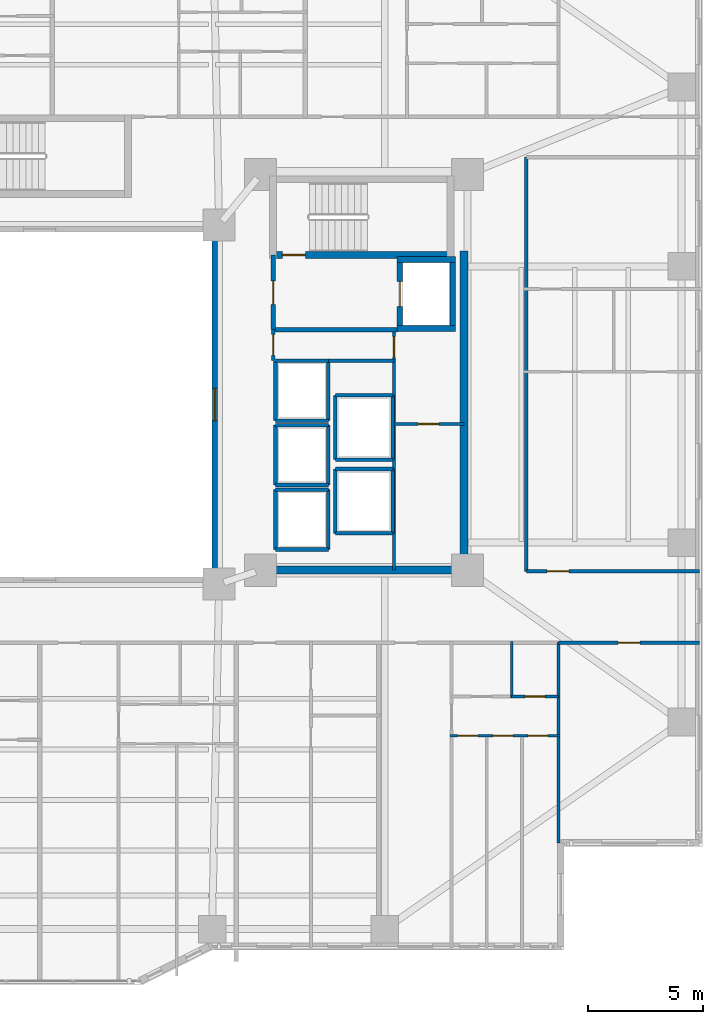
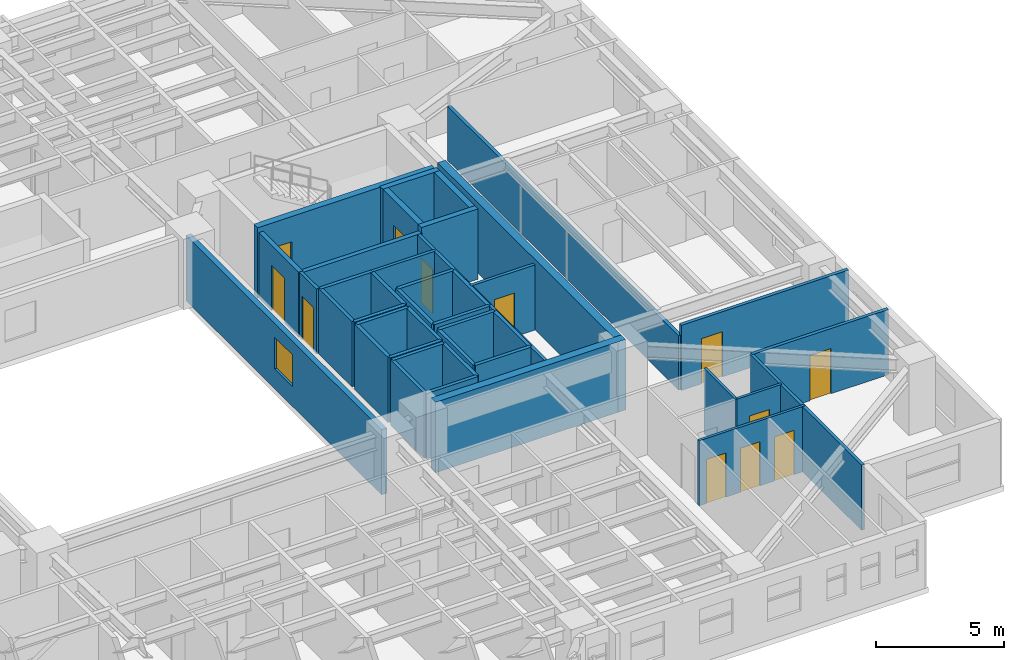
# One storey, part 13 of 21: 41 walls, 12 doors, 1 window, 13 openings.
"""IFC4 building model written with IfcOpenShell, lengths in metres."""

from ifc_helpers import new_model, si_unit, direction, frame, frame_2d, origin, place, context, subcontext, project, spatial, rectangle, extrude, material, layer, layer_set, type_object, element, fill, save


model = new_model("IFC4")

# Units and contexts
model_context = context("Model", 3, precision=1e-05, world=origin(), true_north=direction((0.0, 1.0)))
body_context = subcontext(model_context, "Body", "Model", "MODEL_VIEW")
ifc_project = project(units=[si_unit("LENGTHUNIT", "METRE"), si_unit("AREAUNIT", "SQUARE_METRE"), si_unit("VOLUMEUNIT", "CUBIC_METRE"), si_unit("PLANEANGLEUNIT", "RADIAN"), si_unit("MASSUNIT", "GRAM", prefix="KILO")], contexts=[model_context])

# Site, building, storey
site_placement = place(None, origin())
site = spatial("IfcSite", under=ifc_project, at=site_placement, CompositionType="ELEMENT")
building_placement = place(site_placement, origin())
building = spatial("IfcBuilding", under=site, at=building_placement, Name="Tarnavaz Court Tower", CompositionType="ELEMENT")
storey_placement = place(building_placement, frame((0.0, 0.0, 24.0)))
storey = spatial("IfcBuildingStorey", under=building, at=storey_placement, Name="L05", CompositionType="ELEMENT", Elevation=24.0)

# Wall, opening, door
ifc_material_1 = material(Name="Concrete C60/75", Category="concrete")
ifc_layer_1 = layer(ifc_material_1, 0.25)
ifc_layer_set_1 = layer_set([ifc_layer_1], Name="Concrete C60/75")
wall_type_1 = type_object("IfcWallType", Name="WL-CORE-250-C60", PredefinedType="SHEAR", material=ifc_layer_set_1)
wall_1_placement = place(storey_placement, frame((15.64990234375, 3.175048828125, 0.0), z_axis=(0.0, 0.0, 1.0), x_axis=(0.0, 1.0, 0.0)))
wall_1 = element("IfcWall", 1, at=wall_1_placement, inside=storey, type_object=wall_type_1, Name="L05 Lift FL-E1 Shaft Wall 045", PredefinedType="SHEAR", context=body_context, shape_type="SweptSolid", body=[
    extrude(rectangle(XDim=3.25, YDim=0.25, at=frame_2d((1.625, 0.0))), origin(), (0.0, 0.0, 1.0), 3.35009765625),
])
opening_1_placement = place(wall_1_placement, frame((1.074951171875, 0.0, 0.0)))
opening_1 = element("IfcOpeningElement", 2, at=opening_1_placement, cuts=wall_1, Name="Opening LD1", PredefinedType="OPENING", context=body_context, shape_type="SweptSolid", body=[
    extrude(rectangle(XDim=1.10009765625, YDim=2.14990234375, at=frame_2d((0.550048828125, 1.074951171875))), frame((0.0, 0.135009765625, 0.0), z_axis=(0.0, -1.0, 0.0), x_axis=(1.0, 0.0, 0.0)), (0.0, 0.0, 1.0), 0.27001953125),
])
ifc_material_2 = material(Name="Stainless Steel", Category="steel")
door_type_1 = type_object("IfcDoorType", Name="DR-LD-1100", OperationType="NOTDEFINED", PredefinedType="DOOR", material=ifc_material_2)
door_1_placement = place(opening_1_placement, origin())
door_1 = element("IfcDoor", 3, at=door_1_placement, inside=storey, type_object=door_type_1, Name="L05 Lift Landing Door LD-FL-E1", OperationType="SLIDING_TO_LEFT", OverallHeight=2.14990234375, OverallWidth=1.10009765625, PredefinedType="DOOR", context=body_context, shape_type="SweptSolid", body=[
    extrude(rectangle(XDim=1.10009765625, YDim=2.14990234375, at=frame_2d((0.550048828125, 1.074951171875))), frame((0.0, 0.02490234375, 0.0), z_axis=(0.0, -1.0, 0.0), x_axis=(1.0, 0.0, 0.0)), (0.0, 0.0, 1.0), 0.050048828125),
])
fill(opening_1, door_1)

# Walls
wall_2_placement = place(storey_placement, frame((17.949951171875, 3.175048828125, 0.0), z_axis=(0.0, 0.0, 1.0), x_axis=(0.0, 1.0, 0.0)))
element("IfcWall", 4, at=wall_2_placement, inside=storey, type_object=wall_type_1, Name="L05 Lift FL-E1 Shaft Wall 046", PredefinedType="SHEAR", context=body_context, shape_type="SweptSolid", body=[
    extrude(rectangle(XDim=3.25, YDim=0.25, at=frame_2d((1.625, 0.0))), origin(), (0.0, 0.0, 1.0), 3.35009765625),
])
for number, where, z_axis, x_axis, name in (
    (5, (15.52490234375, 3.300048828125, 0.0), (0.0, 0.0, 1.0), (1.0, 0.0, 0.0), "L05 Lift FL-E1 Shaft Wall 047"),
    (6, (15.52490234375, 6.300048828125, 0.0), (0.0, 0.0, 1.0), (1.0, 0.0, 0.0), "L05 Lift FL-E1 Shaft Wall 048"),
):
    element("IfcWall", number, at=place(storey_placement, frame(where, z_axis=z_axis, x_axis=x_axis)), inside=storey, type_object=wall_type_1, Name=name, PredefinedType="SHEAR", context=body_context, shape_type="SweptSolid", body=[
        extrude(rectangle(XDim=2.550048828125, YDim=0.25, at=frame_2d((1.27490234375, 0.0))), origin(), (0.0, 0.0, 1.0), 3.35009765625),
    ])

# Wall, opening, door
ifc_layer_2 = layer(ifc_material_1, 0.300048828125)
ifc_layer_set_2 = layer_set([ifc_layer_2], Name="Concrete C60/75")
wall_type_2 = type_object("IfcWallType", Name="WL-CORE-300-C60", PredefinedType="SHEAR", material=ifc_layer_set_2)
wall_3_placement = place(storey_placement, frame((10.0, 6.5, 0.0), z_axis=(0.0, 0.0, 1.0), x_axis=(1.0, 0.0, 0.0)))
wall_3 = element("IfcWall", 7, at=wall_3_placement, inside=storey, type_object=wall_type_2, Name="L05 East Stair Core Wall 006", PredefinedType="SHEAR", context=body_context, shape_type="SweptSolid", body=[
    extrude(rectangle(XDim=8.0, YDim=0.300048828125, at=frame_2d((4.0, 0.0))), origin(), (0.0, 0.0, 1.0), 3.35009765625),
])
opening_2_placement = place(wall_3_placement, frame((0.550048828125, 0.0, 0.0)))
opening_2 = element("IfcOpeningElement", 8, at=opening_2_placement, cuts=wall_3, Name="Opening D01", PredefinedType="OPENING", context=body_context, shape_type="SweptSolid", body=[
    extrude(rectangle(XDim=1.0, YDim=2.14990234375, at=frame_2d((0.5, 1.074951171875))), frame((0.0, 0.159912109375, 0.0), z_axis=(0.0, -1.0, 0.0), x_axis=(1.0, 0.0, 0.0)), (0.0, 0.0, 1.0), 0.320068359375),
])
ifc_material_3 = material(Name="Fire-Rated Hardwood Timber Core", Category="wood")
door_type_2 = type_object("IfcDoorType", Name="DR-FD90-1000", OperationType="NOTDEFINED", PredefinedType="DOOR", material=ifc_material_3)
door_2_placement = place(opening_2_placement, origin())
door_2 = element("IfcDoor", 9, at=door_2_placement, inside=storey, type_object=door_type_2, Name="L05 Stair ST-E1 Exit Door", OperationType="SINGLE_SWING_RIGHT", OverallHeight=2.14990234375, OverallWidth=1.0, PredefinedType="DOOR", context=body_context, shape_type="SweptSolid", body=[
    extrude(rectangle(XDim=1.0, YDim=2.14990234375, at=frame_2d((0.5, 1.074951171875))), frame((0.0, 0.02490234375, 0.0), z_axis=(0.0, -1.0, 0.0), x_axis=(1.0, 0.0, 0.0)), (0.0, 0.0, 1.0), 0.050048828125),
])
fill(opening_2, door_2)

# Walls
ifc_layer_3 = layer(ifc_material_1, 0.35009765625)
ifc_layer_set_3 = layer_set([ifc_layer_3], Name="Concrete C60/75")
wall_type_3 = type_object("IfcWallType", Name="WL-CORE-350-C60", PredefinedType="SHEAR", material=ifc_layer_set_3)
wall_4_placement = place(storey_placement, frame((18.449951171875, -7.375, 0.0), z_axis=(0.0, 0.0, 1.0), x_axis=(0.0, 1.0, 0.0)))
element("IfcWall", 10, at=wall_4_placement, inside=storey, type_object=wall_type_3, Name="L05 East Core Shear Wall 071", PredefinedType="SHEAR", context=body_context, shape_type="SweptSolid", body=[
    extrude(rectangle(XDim=14.050048828125, YDim=0.35009765625, at=frame_2d((7.02490234375, 0.0))), origin(), (0.0, 0.0, 1.0), 3.35009765625),
])
wall_5_placement = place(storey_placement, frame((10.074951171875, -7.199951171875, 0.0), z_axis=(0.0, 0.0, 1.0), x_axis=(1.0, 0.0, 0.0)))
element("IfcWall", 11, at=wall_5_placement, inside=storey, type_object=wall_type_3, Name="L05 East Core South Shear Wall 072", PredefinedType="SHEAR", context=body_context, shape_type="SweptSolid", body=[
    extrude(rectangle(XDim=8.550048828125, YDim=0.35009765625, at=frame_2d((4.27490234375, 0.0))), origin(), (0.0, 0.0, 1.0), 3.35009765625),
])
ifc_material_4 = material(Name="Gypsum Fire-Board on Acoustic Metal Stud", Category="masonry")
ifc_layer_4 = layer(ifc_material_4, 0.14990234375)
ifc_layer_set_4 = layer_set([ifc_layer_4], Name="Gypsum Fire-Board on Acoustic Metal Stud")
wall_type_4 = type_object("IfcWallType", Name="WL-FIRE-150", PredefinedType="PARTITIONING", material=ifc_layer_set_4)
wall_6_placement = place(storey_placement, frame((21.14990234375, -7.25, 0.0), z_axis=(0.0, 0.0, 1.0), x_axis=(0.0, 1.0, 0.0)))
element("IfcWall", 12, at=wall_6_placement, inside=storey, type_object=wall_type_4, Name="L05 East Outer Link Wall 083", PredefinedType="PARTITIONING", context=body_context, shape_type="SweptSolid", body=[
    extrude(rectangle(XDim=18.0, YDim=0.14990234375, at=frame_2d((9.0, 0.0))), origin(), (0.0, 0.0, 1.0), 2.5849609375),
])

# Wall, opening, door
wall_7_placement = place(storey_placement, frame((21.14990234375, -7.25, 0.0), z_axis=(0.0, 0.0, 1.0), x_axis=(1.0, 0.0, 0.0)))
wall_7 = element("IfcWall", 13, at=wall_7_placement, inside=storey, type_object=wall_type_4, Name="L05 Interior Partition 146", PredefinedType="PARTITIONING", context=body_context, shape_type="SweptSolid", body=[
    extrude(rectangle(XDim=7.530029296875, YDim=0.14990234375, at=frame_2d((3.76513671875, 0.0))), origin(), (0.0, 0.0, 1.0), 3.10009765625),
])
opening_3_placement = place(wall_7_placement, frame((0.89990234375, 0.0, 0.0)))
opening_3 = element("IfcOpeningElement", 14, at=opening_3_placement, cuts=wall_7, Name="Opening D06", PredefinedType="OPENING", context=body_context, shape_type="SweptSolid", body=[
    extrude(rectangle(XDim=0.9599609375, YDim=2.14990234375, at=frame_2d((0.47998046875, 1.074951171875))), frame((0.0, 0.0849609375, 0.0), z_axis=(0.0, -1.0, 0.0), x_axis=(1.0, 0.0, 0.0)), (0.0, 0.0, 1.0), 0.169921875),
])
door_type_3 = type_object("IfcDoorType", Name="DR-FD60-950", OperationType="NOTDEFINED", PredefinedType="DOOR", material=ifc_material_3)
door_3_placement = place(opening_3_placement, origin())
door_3 = element("IfcDoor", 15, at=door_3_placement, inside=storey, type_object=door_type_3, Name="L05 Flat 12 Entrance Door", OperationType="SINGLE_SWING_RIGHT", OverallHeight=2.14990234375, OverallWidth=0.9599609375, PredefinedType="DOOR", context=body_context, shape_type="SweptSolid", body=[
    extrude(rectangle(XDim=0.9599609375, YDim=2.14990234375, at=frame_2d((0.47998046875, 1.074951171875))), frame((0.0, 0.02490234375, 0.0), z_axis=(0.0, -1.0, 0.0), x_axis=(1.0, 0.0, 0.0)), (0.0, 0.0, 1.0), 0.050048828125),
])
fill(opening_3, door_3)

wall_8_placement = place(storey_placement, frame((22.550048828125, -10.35009765625, 0.0), z_axis=(0.0, 0.0, 1.0), x_axis=(1.0, 0.0, 0.0)))
wall_8 = element("IfcWall", 16, at=wall_8_placement, inside=storey, type_object=wall_type_4, Name="L05 Interior Partition 155", PredefinedType="PARTITIONING", context=body_context, shape_type="SweptSolid", body=[
    extrude(rectangle(XDim=6.1298828125, YDim=0.14990234375, at=frame_2d((3.06494140625, 0.0))), origin(), (0.0, 0.0, 1.0), 3.10009765625),
])
opening_4_placement = place(wall_8_placement, frame((2.590087890625, 0.0, 0.0)))
opening_4 = element("IfcOpeningElement", 17, at=opening_4_placement, cuts=wall_8, Name="Opening D13", PredefinedType="OPENING", context=body_context, shape_type="SweptSolid", body=[
    extrude(rectangle(XDim=0.949951171875, YDim=2.14990234375, at=frame_2d((0.47509765625, 1.074951171875))), frame((0.0, 0.0849609375, 0.0), z_axis=(0.0, -1.0, 0.0), x_axis=(1.0, 0.0, 0.0)), (0.0, 0.0, 1.0), 0.169921875),
])
ifc_material_5 = material(Name="Engineered Oak Timber", Category="wood")
door_type_4 = type_object("IfcDoorType", Name="DR-INT-950", OperationType="NOTDEFINED", PredefinedType="DOOR", material=ifc_material_5)
door_4_placement = place(opening_4_placement, origin())
door_4 = element("IfcDoor", 18, at=door_4_placement, inside=storey, type_object=door_type_4, Name="L05 SE Reading Room Door", OperationType="SINGLE_SWING_LEFT", OverallHeight=2.14990234375, OverallWidth=0.949951171875, PredefinedType="DOOR", context=body_context, shape_type="SweptSolid", body=[
    extrude(rectangle(XDim=0.949951171875, YDim=2.14990234375, at=frame_2d((0.47509765625, 1.074951171875))), frame((0.0, 0.02490234375, 0.0), z_axis=(0.0, -1.0, 0.0), x_axis=(1.0, 0.0, 0.0)), (0.0, 0.0, 1.0), 0.050048828125),
])
fill(opening_4, door_4)

# Wall
ifc_material_6 = material(Name="Autoclaved Aerated Concrete Blockwork", Category="masonry")
ifc_layer_5 = layer(ifc_material_6, 0.199951171875)
ifc_layer_set_5 = layer_set([ifc_layer_5], Name="Autoclaved Aerated Concrete Blockwork")
wall_type_5 = type_object("IfcWallType", Name="WL-FIRE-200", PredefinedType="SOLIDWALL", material=ifc_layer_set_5)
wall_9_placement = place(storey_placement, frame((10.14990234375, 3.25, 0.0), z_axis=(0.0, 0.0, 1.0), x_axis=(1.0, 0.0, 0.0)))
element("IfcWall", 19, at=wall_9_placement, inside=storey, type_object=wall_type_5, Name="L05 East Firefighting Lobby Wall 015", PredefinedType="SOLIDWALL", context=body_context, shape_type="SweptSolid", body=[
    extrude(rectangle(XDim=5.400146484375, YDim=0.199951171875, at=frame_2d((2.7001953125, 0.0))), origin(), (0.0, 0.0, 1.0), 3.10009765625),
])

# Wall, opening, door
wall_10_placement = place(storey_placement, frame((10.14990234375, 3.25, 0.0), z_axis=(0.0, 0.0, 1.0), x_axis=(0.0, 1.0, 0.0)))
wall_10 = element("IfcWall", 20, at=wall_10_placement, inside=storey, type_object=wall_type_5, Name="L05 East Firefighting Lobby Wall 016", PredefinedType="SOLIDWALL", context=body_context, shape_type="SweptSolid", body=[
    extrude(rectangle(XDim=3.25, YDim=0.199951171875, at=frame_2d((1.625, 0.0))), origin(), (0.0, 0.0, 1.0), 3.10009765625),
])
opening_5_placement = place(wall_10_placement, frame((1.10009765625, 0.0, 0.0)))
opening_5 = element("IfcOpeningElement", 21, at=opening_5_placement, cuts=wall_10, Name="Opening D05", PredefinedType="OPENING", context=body_context, shape_type="SweptSolid", body=[
    extrude(rectangle(XDim=1.02001953125, YDim=2.14990234375, at=frame_2d((0.510009765625, 1.074951171875))), frame((0.0, 0.10986328125, 0.0), z_axis=(0.0, -1.0, 0.0), x_axis=(1.0, 0.0, 0.0)), (0.0, 0.0, 1.0), 0.219970703125),
])
door_type_5 = type_object("IfcDoorType", Name="DR-FD60-1000", OperationType="NOTDEFINED", PredefinedType="DOOR", material=ifc_material_3)
door_5_placement = place(opening_5_placement, origin())
door_5 = element("IfcDoor", 22, at=door_5_placement, inside=storey, type_object=door_type_5, Name="L05 East Firefighting Lobby Door", OperationType="SINGLE_SWING_LEFT", OverallHeight=2.14990234375, OverallWidth=1.02001953125, PredefinedType="DOOR", context=body_context, shape_type="SweptSolid", body=[
    extrude(rectangle(XDim=1.02001953125, YDim=2.14990234375, at=frame_2d((0.510009765625, 1.074951171875))), frame((0.0, 0.02490234375, 0.0), z_axis=(0.0, -1.0, 0.0), x_axis=(1.0, 0.0, 0.0)), (0.0, 0.0, 1.0), 0.050048828125),
])
fill(opening_5, door_5)

ifc_material_7 = material(Name="Moisture-Resistant Gypsum Board Partition", Category="masonry")
ifc_layer_6 = layer(ifc_material_7, 0.1201171875)
ifc_layer_set_6 = layer_set([ifc_layer_6], Name="Moisture-Resistant Gypsum Board Partition")
wall_type_6 = type_object("IfcWallType", Name="WL-PART-120", PredefinedType="PARTITIONING", material=ifc_layer_set_6)
wall_11_placement = place(storey_placement, frame((20.514892578125, -12.68994140625, 0.0), z_axis=(0.0, 0.0, 1.0), x_axis=(1.0, 0.0, 0.0)))
wall_11 = element("IfcWall", 23, at=wall_11_placement, inside=storey, type_object=wall_type_6, Name="L05 Interior Partition 124", PredefinedType="PARTITIONING", context=body_context, shape_type="SweptSolid", body=[
    extrude(rectangle(XDim=2.03515625, YDim=0.1201171875, at=frame_2d((1.017578125, 0.0))), origin(), (0.0, 0.0, 1.0), 3.10009765625),
])
opening_6_placement = place(wall_11_placement, frame((0.577880859375, 0.0, 0.0)))
opening_6 = element("IfcOpeningElement", 24, at=opening_6_placement, cuts=wall_11, Name="Opening D14", PredefinedType="OPENING", context=body_context, shape_type="SweptSolid", body=[
    extrude(rectangle(XDim=0.8798828125, YDim=2.10009765625, at=frame_2d((0.43994140625, 1.050048828125))), frame((0.0, 0.070068359375, 0.0), z_axis=(0.0, -1.0, 0.0), x_axis=(1.0, 0.0, 0.0)), (0.0, 0.0, 1.0), 0.14013671875),
])
door_type_6 = type_object("IfcDoorType", Name="DR-INT-900", OperationType="NOTDEFINED", PredefinedType="DOOR", material=ifc_material_5)
door_6_placement = place(opening_6_placement, origin())
door_6 = element("IfcDoor", 25, at=door_6_placement, inside=storey, type_object=door_type_6, Name="L05 Flat 08 Bathroom Door", OperationType="SINGLE_SWING_RIGHT", OverallHeight=2.10009765625, OverallWidth=0.8798828125, PredefinedType="DOOR", context=body_context, shape_type="SweptSolid", body=[
    extrude(rectangle(XDim=0.8798828125, YDim=2.10009765625, at=frame_2d((0.43994140625, 1.050048828125))), frame((0.0, 0.02490234375, 0.0), z_axis=(0.0, -1.0, 0.0), x_axis=(1.0, 0.0, 0.0)), (0.0, 0.0, 1.0), 0.050048828125),
])
fill(opening_6, door_6)

# Wall, openings, doors
wall_12_placement = place(storey_placement, frame((17.837890625, -14.39990234375, 0.0), z_axis=(0.0, 0.0, 1.0), x_axis=(1.0, 0.0, 0.0)))
wall_12 = element("IfcWall", 26, at=wall_12_placement, inside=storey, type_object=wall_type_6, Name="L05 Interior Partition 125", PredefinedType="PARTITIONING", context=body_context, shape_type="SweptSolid", body=[
    extrude(rectangle(XDim=4.772216796875, YDim=0.1201171875, at=frame_2d((2.38623046875, 0.0))), origin(), (0.0, 0.0, 1.0), 3.10009765625),
])
opening_7_placement = place(wall_12_placement, frame((0.324951171875, 0.0, 0.0)))
opening_7 = element("IfcOpeningElement", 27, at=opening_7_placement, cuts=wall_12, Name="Opening D14", PredefinedType="OPENING", context=body_context, shape_type="SweptSolid", body=[
    extrude(rectangle(XDim=0.8798828125, YDim=2.10009765625, at=frame_2d((0.43994140625, 1.050048828125))), frame((0.0, 0.070068359375, 0.0), z_axis=(0.0, -1.0, 0.0), x_axis=(1.0, 0.0, 0.0)), (0.0, 0.0, 1.0), 0.14013671875),
])
opening_8_placement = place(wall_12_placement, frame((1.85595703125, 0.0, 0.0)))
opening_8 = element("IfcOpeningElement", 28, at=opening_8_placement, cuts=wall_12, Name="Opening D14", PredefinedType="OPENING", context=body_context, shape_type="SweptSolid", body=[
    extrude(rectangle(XDim=0.8798828125, YDim=2.10009765625, at=frame_2d((0.43994140625, 1.050048828125))), frame((0.0, 0.070068359375, 0.0), z_axis=(0.0, -1.0, 0.0), x_axis=(1.0, 0.0, 0.0)), (0.0, 0.0, 1.0), 0.14013671875),
])
opening_9_placement = place(wall_12_placement, frame((3.386962890625, 0.0, 0.0)))
opening_9 = element("IfcOpeningElement", 29, at=opening_9_placement, cuts=wall_12, Name="Opening D14", PredefinedType="OPENING", context=body_context, shape_type="SweptSolid", body=[
    extrude(rectangle(XDim=0.8798828125, YDim=2.10009765625, at=frame_2d((0.43994140625, 1.050048828125))), frame((0.0, 0.070068359375, 0.0), z_axis=(0.0, -1.0, 0.0), x_axis=(1.0, 0.0, 0.0)), (0.0, 0.0, 1.0), 0.14013671875),
])
door_7_placement = place(opening_7_placement, origin())
door_7 = element("IfcDoor", 30, at=door_7_placement, inside=storey, type_object=door_type_6, Name="L05 Flat 08 Bedroom 1 Door", OperationType="SINGLE_SWING_LEFT", OverallHeight=2.10009765625, OverallWidth=0.8798828125, PredefinedType="DOOR", context=body_context, shape_type="SweptSolid", body=[
    extrude(rectangle(XDim=0.8798828125, YDim=2.10009765625, at=frame_2d((0.43994140625, 1.050048828125))), frame((0.0, 0.02490234375, 0.0), z_axis=(0.0, -1.0, 0.0), x_axis=(1.0, 0.0, 0.0)), (0.0, 0.0, 1.0), 0.050048828125),
])
fill(opening_7, door_7)
door_8_placement = place(opening_8_placement, origin())
door_8 = element("IfcDoor", 31, at=door_8_placement, inside=storey, type_object=door_type_6, Name="L05 Flat 08 Bedroom 2 Door", OperationType="SINGLE_SWING_RIGHT", OverallHeight=2.10009765625, OverallWidth=0.8798828125, PredefinedType="DOOR", context=body_context, shape_type="SweptSolid", body=[
    extrude(rectangle(XDim=0.8798828125, YDim=2.10009765625, at=frame_2d((0.43994140625, 1.050048828125))), frame((0.0, 0.02490234375, 0.0), z_axis=(0.0, -1.0, 0.0), x_axis=(1.0, 0.0, 0.0)), (0.0, 0.0, 1.0), 0.050048828125),
])
fill(opening_8, door_8)
door_9_placement = place(opening_9_placement, origin())
door_9 = element("IfcDoor", 32, at=door_9_placement, inside=storey, type_object=door_type_6, Name="L05 Flat 08 Bedroom 3 Door", OperationType="SINGLE_SWING_LEFT", OverallHeight=2.10009765625, OverallWidth=0.8798828125, PredefinedType="DOOR", context=body_context, shape_type="SweptSolid", body=[
    extrude(rectangle(XDim=0.8798828125, YDim=2.10009765625, at=frame_2d((0.43994140625, 1.050048828125))), frame((0.0, 0.02490234375, 0.0), z_axis=(0.0, -1.0, 0.0), x_axis=(1.0, 0.0, 0.0)), (0.0, 0.0, 1.0), 0.050048828125),
])
fill(opening_9, door_9)

# Walls
wall_13_placement = place(storey_placement, frame((20.514892578125, -12.75, 0.0), z_axis=(0.0, 0.0, 1.0), x_axis=(0.0, 1.0, 0.0)))
element("IfcWall", 33, at=wall_13_placement, inside=storey, type_object=wall_type_6, Name="L05 Interior Partition 126", PredefinedType="PARTITIONING", context=body_context, shape_type="SweptSolid", body=[
    extrude(rectangle(XDim=2.4599609375, YDim=0.1201171875, at=frame_2d((1.22998046875, 0.0))), origin(), (0.0, 0.0, 1.0), 3.10009765625),
])
ifc_material_8 = material(Name="Gypsum Plasterboard Acoustic Partition", Category="masonry")
ifc_layer_7 = layer(ifc_material_8, 0.139892578125)
ifc_layer_set_7 = layer_set([ifc_layer_7], Name="Gypsum Plasterboard Acoustic Partition")
wall_type_7 = type_object("IfcWallType", Name="WL-PART-150", PredefinedType="PARTITIONING", material=ifc_layer_set_7)
wall_14_placement = place(storey_placement, frame((12.550048828125, 1.89990234375, 0.0), z_axis=(0.0, 0.0, 1.0), x_axis=(1.0, 0.0, 0.0)))
element("IfcWall", 34, at=wall_14_placement, inside=storey, type_object=wall_type_7, Name="L05 Interior Partition 077", PredefinedType="PARTITIONING", context=body_context, shape_type="SweptSolid", body=[
    extrude(rectangle(XDim=2.849853515625, YDim=0.139892578125, at=frame_2d((1.4248046875, 0.0))), origin(), (0.0, 0.0, 1.0), 3.10009765625),
])

# Wall, opening, door
wall_15_placement = place(storey_placement, frame((10.14990234375, 1.919921875, 0.0), z_axis=(0.0, 0.0, 1.0), x_axis=(0.0, 1.0, 0.0)))
wall_15 = element("IfcWall", 35, at=wall_15_placement, inside=storey, type_object=wall_type_7, Name="L05 Interior Partition 078", PredefinedType="PARTITIONING", context=body_context, shape_type="SweptSolid", body=[
    extrude(rectangle(XDim=1.330078125, YDim=0.139892578125, at=frame_2d((0.6650390625, 0.0))), origin(), (0.0, 0.0, 1.0), 3.10009765625),
])
opening_10_placement = place(wall_15_placement, frame((0.219970703125, 0.0, 0.0)))
opening_10 = element("IfcOpeningElement", 36, at=opening_10_placement, cuts=wall_15, Name="Opening D09", PredefinedType="OPENING", context=body_context, shape_type="SweptSolid", body=[
    extrude(rectangle(XDim=0.89990234375, YDim=2.080078125, at=frame_2d((0.449951171875, 1.0400390625))), frame((0.0, 0.079833984375, 0.0), z_axis=(0.0, -1.0, 0.0), x_axis=(1.0, 0.0, 0.0)), (0.0, 0.0, 1.0), 0.159912109375),
])
door_type_7 = type_object("IfcDoorType", Name="DR-FD30-900", OperationType="NOTDEFINED", PredefinedType="DOOR", material=ifc_material_3)
door_10_placement = place(opening_10_placement, origin())
door_10 = element("IfcDoor", 37, at=door_10_placement, inside=storey, type_object=door_type_7, Name="L05 East Core Service Lobby Door", OperationType="SINGLE_SWING_RIGHT", OverallHeight=2.080078125, OverallWidth=0.89990234375, PredefinedType="DOOR", context=body_context, shape_type="SweptSolid", body=[
    extrude(rectangle(XDim=0.89990234375, YDim=2.080078125, at=frame_2d((0.449951171875, 1.0400390625))), frame((0.0, 0.02490234375, 0.0), z_axis=(0.0, -1.0, 0.0), x_axis=(1.0, 0.0, 0.0)), (0.0, 0.0, 1.0), 0.050048828125),
])
fill(opening_10, door_10)

wall_16_placement = place(storey_placement, frame((15.39990234375, -7.199951171875, 0.0), z_axis=(0.0, 0.0, 1.0), x_axis=(0.0, 1.0, 0.0)))
wall_16 = element("IfcWall", 38, at=wall_16_placement, inside=storey, type_object=wall_type_7, Name="L05 Interior Partition 079", PredefinedType="PARTITIONING", context=body_context, shape_type="SweptSolid", body=[
    extrude(rectangle(XDim=10.449951171875, YDim=0.139892578125, at=frame_2d((5.22509765625, 0.0))), origin(), (0.0, 0.0, 1.0), 3.10009765625),
])
opening_11_placement = place(wall_16_placement, frame((9.25, 0.0, 0.0)))
opening_11 = element("IfcOpeningElement", 39, at=opening_11_placement, cuts=wall_16, Name="Opening D09", PredefinedType="OPENING", context=body_context, shape_type="SweptSolid", body=[
    extrude(rectangle(XDim=0.89990234375, YDim=2.080078125, at=frame_2d((0.449951171875, 1.0400390625))), frame((0.0, 0.079833984375, 0.0), z_axis=(0.0, -1.0, 0.0), x_axis=(1.0, 0.0, 0.0)), (0.0, 0.0, 1.0), 0.159912109375),
])
door_11_placement = place(opening_11_placement, origin())
door_11 = element("IfcDoor", 40, at=door_11_placement, inside=storey, type_object=door_type_7, Name="L05 East Wet Riser Door", OperationType="SINGLE_SWING_LEFT", OverallHeight=2.080078125, OverallWidth=0.89990234375, PredefinedType="DOOR", context=body_context, shape_type="SweptSolid", body=[
    extrude(rectangle(XDim=0.89990234375, YDim=2.080078125, at=frame_2d((0.449951171875, 1.0400390625))), frame((0.0, 0.02490234375, 0.0), z_axis=(0.0, -1.0, 0.0), x_axis=(1.0, 0.0, 0.0)), (0.0, 0.0, 1.0), 0.050048828125),
])
fill(opening_11, door_11)

wall_17_placement = place(storey_placement, frame((15.39990234375, -0.85009765625, 0.0), z_axis=(0.0, 0.0, 1.0), x_axis=(1.0, 0.0, 0.0)))
wall_17 = element("IfcWall", 41, at=wall_17_placement, inside=storey, type_object=wall_type_7, Name="L05 Interior Partition 080", PredefinedType="PARTITIONING", context=body_context, shape_type="SweptSolid", body=[
    extrude(rectangle(XDim=3.050048828125, YDim=0.139892578125, at=frame_2d((1.52490234375, 0.0))), origin(), (0.0, 0.0, 1.0), 3.10009765625),
])
opening_12_placement = place(wall_17_placement, frame((1.050048828125, 0.0, 0.0)))
opening_12 = element("IfcOpeningElement", 42, at=opening_12_placement, cuts=wall_17, Name="Opening D09", PredefinedType="OPENING", context=body_context, shape_type="SweptSolid", body=[
    extrude(rectangle(XDim=0.89990234375, YDim=2.080078125, at=frame_2d((0.449951171875, 1.0400390625))), frame((0.0, 0.079833984375, 0.0), z_axis=(0.0, -1.0, 0.0), x_axis=(1.0, 0.0, 0.0)), (0.0, 0.0, 1.0), 0.159912109375),
])
door_12_placement = place(opening_12_placement, origin())
door_12 = element("IfcDoor", 43, at=door_12_placement, inside=storey, type_object=door_type_7, Name="L05 East Electrical Plant Door", OperationType="SINGLE_SWING_RIGHT", OverallHeight=2.080078125, OverallWidth=0.89990234375, PredefinedType="DOOR", context=body_context, shape_type="SweptSolid", body=[
    extrude(rectangle(XDim=0.89990234375, YDim=2.080078125, at=frame_2d((0.449951171875, 1.0400390625))), frame((0.0, 0.02490234375, 0.0), z_axis=(0.0, -1.0, 0.0), x_axis=(1.0, 0.0, 0.0)), (0.0, 0.0, 1.0), 0.050048828125),
])
fill(opening_12, door_12)

# Walls
wall_18_placement = place(storey_placement, frame((22.550048828125, -19.050048828125, 0.0), z_axis=(0.0, 0.0, 1.0), x_axis=(0.0, 1.0, 0.0)))
element("IfcWall", 44, at=wall_18_placement, inside=storey, type_object=wall_type_7, Name="L05 Interior Partition 149", PredefinedType="PARTITIONING", context=body_context, shape_type="SweptSolid", body=[
    extrude(rectangle(XDim=8.699951171875, YDim=0.139892578125, at=frame_2d((4.35009765625, 0.0))), origin(), (0.0, 0.0, 1.0), 3.10009765625),
])
ifc_layer_8 = layer(ifc_material_6, 0.159912109375)
ifc_layer_set_8 = layer_set([ifc_layer_8], Name="Autoclaved Aerated Concrete Blockwork")
wall_type_8 = type_object("IfcWallType", Name="WL-SHAFT-150", PredefinedType="SOLIDWALL", material=ifc_layer_set_8)
for number, where, z_axis, x_axis, name in (
    (45, (10.25, -6.300048828125, 0.0), (0.0, 0.0, 1.0), (0.0, 1.0, 0.0), "L05 Lift PL-M1 Shaft Wall 049"),
    (46, (12.550048828125, -6.300048828125, 0.0), (0.0, 0.0, 1.0), (0.0, 1.0, 0.0), "L05 Lift PL-M1 Shaft Wall 050"),
):
    element("IfcWall", number, at=place(storey_placement, frame(where, z_axis=z_axis, x_axis=x_axis)), inside=storey, type_object=wall_type_8, Name=name, PredefinedType="SOLIDWALL", context=body_context, shape_type="SweptSolid", body=[
        extrude(rectangle(XDim=2.60009765625, YDim=0.159912109375, at=frame_2d((1.300048828125, 0.0))), origin(), (0.0, 0.0, 1.0), 3.10009765625),
    ])
for number, where, z_axis, x_axis, name in (
    (47, (10.25, -6.300048828125, 0.0), (0.0, 0.0, 1.0), (1.0, 0.0, 0.0), "L05 Lift PL-M1 Shaft Wall 051"),
    (48, (10.25, -3.699951171875, 0.0), (0.0, 0.0, 1.0), (1.0, 0.0, 0.0), "L05 Lift PL-M1 Shaft Wall 052"),
):
    element("IfcWall", number, at=place(storey_placement, frame(where, z_axis=z_axis, x_axis=x_axis)), inside=storey, type_object=wall_type_8, Name=name, PredefinedType="SOLIDWALL", context=body_context, shape_type="SweptSolid", body=[
        extrude(rectangle(XDim=2.300048828125, YDim=0.159912109375, at=frame_2d((1.14990234375, 0.0))), origin(), (0.0, 0.0, 1.0), 3.10009765625),
    ])
for number, where, z_axis, x_axis, name in (
    (49, (10.25, -3.5, 0.0), (0.0, 0.0, 1.0), (0.0, 1.0, 0.0), "L05 Lift PL-M2 Shaft Wall 053"),
    (50, (12.550048828125, -3.5, 0.0), (0.0, 0.0, 1.0), (0.0, 1.0, 0.0), "L05 Lift PL-M2 Shaft Wall 054"),
):
    element("IfcWall", number, at=place(storey_placement, frame(where, z_axis=z_axis, x_axis=x_axis)), inside=storey, type_object=wall_type_8, Name=name, PredefinedType="SOLIDWALL", context=body_context, shape_type="SweptSolid", body=[
        extrude(rectangle(XDim=2.60009765625, YDim=0.159912109375, at=frame_2d((1.300048828125, 0.0))), origin(), (0.0, 0.0, 1.0), 3.10009765625),
    ])
for number, where, z_axis, x_axis, name in (
    (51, (10.25, -3.5, 0.0), (0.0, 0.0, 1.0), (1.0, 0.0, 0.0), "L05 Lift PL-M2 Shaft Wall 055"),
    (52, (10.25, -0.89990234375, 0.0), (0.0, 0.0, 1.0), (1.0, 0.0, 0.0), "L05 Lift PL-M2 Shaft Wall 056"),
):
    element("IfcWall", number, at=place(storey_placement, frame(where, z_axis=z_axis, x_axis=x_axis)), inside=storey, type_object=wall_type_8, Name=name, PredefinedType="SOLIDWALL", context=body_context, shape_type="SweptSolid", body=[
        extrude(rectangle(XDim=2.300048828125, YDim=0.159912109375, at=frame_2d((1.14990234375, 0.0))), origin(), (0.0, 0.0, 1.0), 3.10009765625),
    ])
for number, where, z_axis, x_axis, name in (
    (53, (10.25, -0.699951171875, 0.0), (0.0, 0.0, 1.0), (0.0, 1.0, 0.0), "L05 Lift PL-M3 Shaft Wall 057"),
    (54, (12.550048828125, -0.699951171875, 0.0), (0.0, 0.0, 1.0), (0.0, 1.0, 0.0), "L05 Lift PL-M3 Shaft Wall 058"),
):
    element("IfcWall", number, at=place(storey_placement, frame(where, z_axis=z_axis, x_axis=x_axis)), inside=storey, type_object=wall_type_8, Name=name, PredefinedType="SOLIDWALL", context=body_context, shape_type="SweptSolid", body=[
        extrude(rectangle(XDim=2.599853515625, YDim=0.159912109375, at=frame_2d((1.2998046875, 0.0))), origin(), (0.0, 0.0, 1.0), 3.10009765625),
    ])
for number, where, z_axis, x_axis, name in (
    (55, (10.25, -0.699951171875, 0.0), (0.0, 0.0, 1.0), (1.0, 0.0, 0.0), "L05 Lift PL-M3 Shaft Wall 059"),
    (56, (10.25, 1.89990234375, 0.0), (0.0, 0.0, 1.0), (1.0, 0.0, 0.0), "L05 Lift PL-M3 Shaft Wall 060"),
):
    element("IfcWall", number, at=place(storey_placement, frame(where, z_axis=z_axis, x_axis=x_axis)), inside=storey, type_object=wall_type_8, Name=name, PredefinedType="SOLIDWALL", context=body_context, shape_type="SweptSolid", body=[
        extrude(rectangle(XDim=2.300048828125, YDim=0.159912109375, at=frame_2d((1.14990234375, 0.0))), origin(), (0.0, 0.0, 1.0), 3.10009765625),
    ])
for number, where, z_axis, x_axis, name in (
    (57, (12.85009765625, -5.60009765625, 0.0), (0.0, 0.0, 1.0), (0.0, 1.0, 0.0), "L05 Lift PL-OB1 Shaft Wall 061"),
    (58, (15.35009765625, -5.60009765625, 0.0), (0.0, 0.0, 1.0), (0.0, 1.0, 0.0), "L05 Lift PL-OB1 Shaft Wall 062"),
):
    element("IfcWall", number, at=place(storey_placement, frame(where, z_axis=z_axis, x_axis=x_axis)), inside=storey, type_object=wall_type_8, Name=name, PredefinedType="SOLIDWALL", context=body_context, shape_type="SweptSolid", body=[
        extrude(rectangle(XDim=2.800048828125, YDim=0.159912109375, at=frame_2d((1.39990234375, 0.0))), origin(), (0.0, 0.0, 1.0), 3.10009765625),
    ])
for number, where, z_axis, x_axis, name in (
    (59, (12.85009765625, -5.60009765625, 0.0), (0.0, 0.0, 1.0), (1.0, 0.0, 0.0), "L05 Lift PL-OB1 Shaft Wall 063"),
    (60, (12.85009765625, -2.800048828125, 0.0), (0.0, 0.0, 1.0), (1.0, 0.0, 0.0), "L05 Lift PL-OB1 Shaft Wall 064"),
):
    element("IfcWall", number, at=place(storey_placement, frame(where, z_axis=z_axis, x_axis=x_axis)), inside=storey, type_object=wall_type_8, Name=name, PredefinedType="SOLIDWALL", context=body_context, shape_type="SweptSolid", body=[
        extrude(rectangle(XDim=2.5, YDim=0.159912109375, at=frame_2d((1.25, 0.0))), origin(), (0.0, 0.0, 1.0), 3.10009765625),
    ])
for number, where, z_axis, x_axis, name in (
    (61, (12.85009765625, -2.39990234375, 0.0), (0.0, 0.0, 1.0), (0.0, 1.0, 0.0), "L05 Lift PL-OB2 Shaft Wall 065"),
    (62, (15.35009765625, -2.39990234375, 0.0), (0.0, 0.0, 1.0), (0.0, 1.0, 0.0), "L05 Lift PL-OB2 Shaft Wall 066"),
):
    element("IfcWall", number, at=place(storey_placement, frame(where, z_axis=z_axis, x_axis=x_axis)), inside=storey, type_object=wall_type_8, Name=name, PredefinedType="SOLIDWALL", context=body_context, shape_type="SweptSolid", body=[
        extrude(rectangle(XDim=2.7998046875, YDim=0.159912109375, at=frame_2d((1.39990234375, 0.0))), origin(), (0.0, 0.0, 1.0), 3.10009765625),
    ])
for number, where, z_axis, x_axis, name in (
    (63, (12.85009765625, -2.39990234375, 0.0), (0.0, 0.0, 1.0), (1.0, 0.0, 0.0), "L05 Lift PL-OB2 Shaft Wall 067"),
    (64, (12.85009765625, 0.39990234375, 0.0), (0.0, 0.0, 1.0), (1.0, 0.0, 0.0), "L05 Lift PL-OB2 Shaft Wall 068"),
):
    element("IfcWall", number, at=place(storey_placement, frame(where, z_axis=z_axis, x_axis=x_axis)), inside=storey, type_object=wall_type_8, Name=name, PredefinedType="SOLIDWALL", context=body_context, shape_type="SweptSolid", body=[
        extrude(rectangle(XDim=2.5, YDim=0.159912109375, at=frame_2d((1.25, 0.0))), origin(), (0.0, 0.0, 1.0), 3.10009765625),
    ])

# Wall, opening, window
ifc_material_9 = material(Name="Precast Concrete C40/50", Category="concrete")
ifc_layer_9 = layer(ifc_material_9, 0.239990234375)
ifc_layer_set_9 = layer_set([ifc_layer_9], Name="Precast Concrete C40/50")
wall_type_9 = type_object("IfcWallType", Name="WL-WELL-240", PredefinedType="SOLIDWALL", material=ifc_layer_set_9)
wall_19_placement = place(storey_placement, frame((7.6201171875, -7.6201171875, 0.0), z_axis=(0.0, 0.0, 1.0), x_axis=(0.0, 1.0, 0.0)))
wall_19 = element("IfcWall", 65, at=wall_19_placement, inside=storey, type_object=wall_type_9, Name="L05 Badgir Light-Well Exterior Wall E", PredefinedType="SOLIDWALL", context=body_context, shape_type="SweptSolid", body=[
    extrude(rectangle(XDim=15.240234375, YDim=0.239990234375, at=frame_2d((7.6201171875, 0.0))), origin(), (0.0, 0.0, 1.0), 3.10009765625),
])
opening_13_placement = place(wall_19_placement, frame((6.919921875, 0.0, 0.949951171875)))
opening_13 = element("IfcOpeningElement", 66, at=opening_13_placement, cuts=wall_19, Name="Opening W13", PredefinedType="OPENING", context=body_context, shape_type="SweptSolid", body=[
    extrude(rectangle(XDim=1.39990234375, YDim=1.5, at=frame_2d((0.699951171875, 0.75))), frame((0.0, 0.1298828125, 0.0), z_axis=(0.0, -1.0, 0.0), x_axis=(1.0, 0.0, 0.0)), (0.0, 0.0, 1.0), 0.260009765625),
])
ifc_material_10 = material(Name="Double-Glazed Solar Low-E Glass", Category="glass")
window_type = type_object("IfcWindowType", Name="WN-WEL-1400", PartitioningType="SINGLE_PANEL", PredefinedType="WINDOW", material=ifc_material_10)
window_placement = place(opening_13_placement, origin())
window = element("IfcWindow", 67, at=window_placement, inside=storey, type_object=window_type, Name="L05 Courtyard Gallery Window E", OverallHeight=1.5, OverallWidth=1.39990234375, PartitioningType="SINGLE_PANEL", PredefinedType="WINDOW", context=body_context, shape_type="SweptSolid", body=[
    extrude(rectangle(XDim=1.39990234375, YDim=1.5, at=frame_2d((0.699951171875, 0.75))), frame((0.0, 0.030029296875, 0.0), z_axis=(0.0, -1.0, 0.0), x_axis=(1.0, 0.0, 0.0)), (0.0, 0.0, 1.0), 0.06005859375),
])
fill(opening_13, window)

save(model, "model.ifc")
